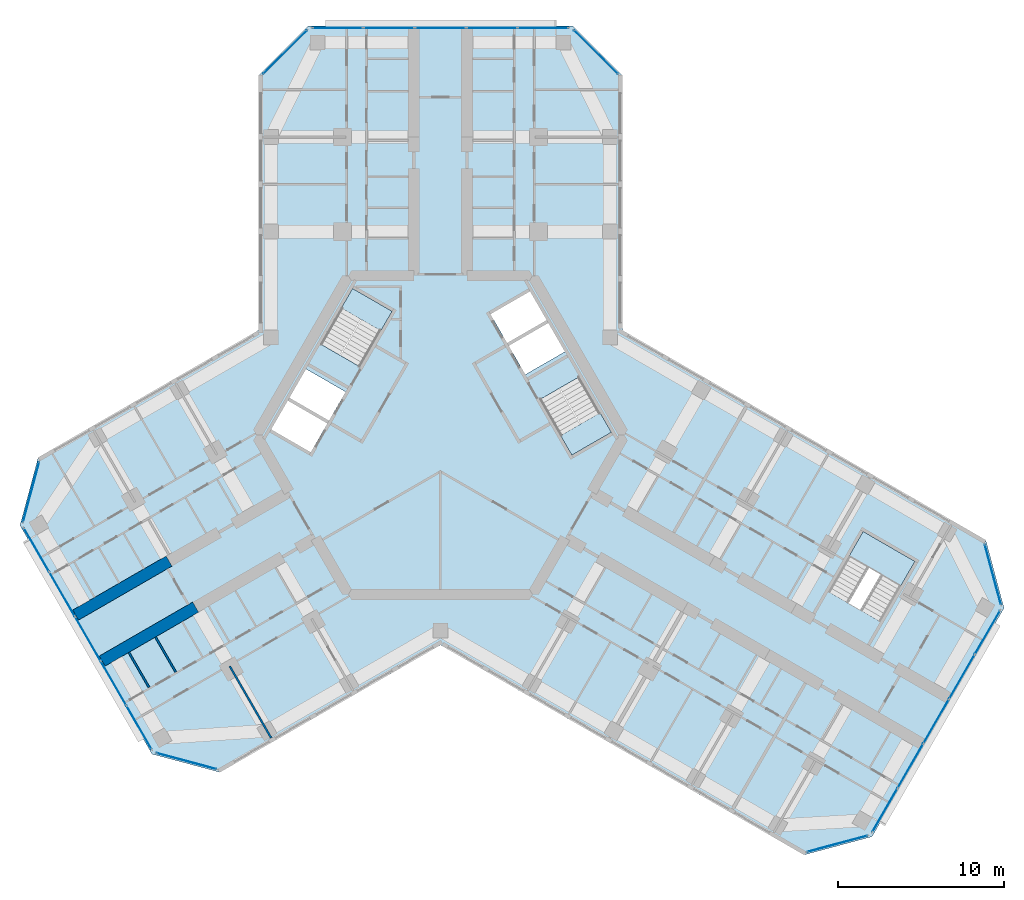
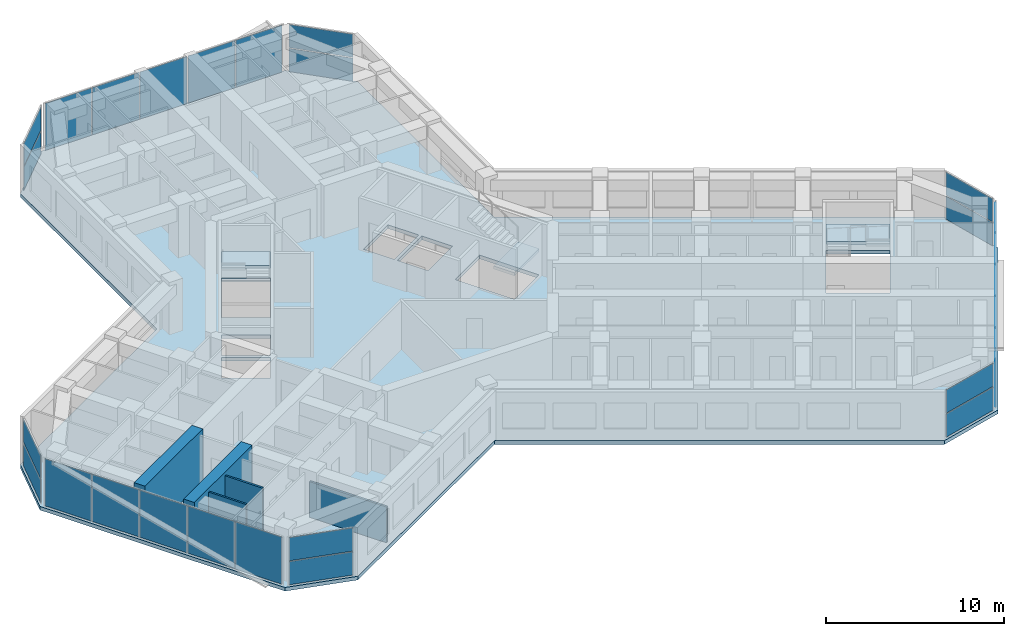
# One storey, part 7 of 16: 27 plates, 5 walls, 4 slabs, 12 elements without a shape of their own.
"""IFC4 building model written with IfcOpenShell, lengths in metres."""

import ifcopenshell
import ifcopenshell.guid

model = None  # the IFC model being written
_history = None  # IfcOwnerHistory: only IFC2X3 demands one
_inside = {}  # id of a spatial element -> (the spatial element, [elements in it])
_under = {}  # id of a project, library or spatial element -> (it, [spatial elements below it])
_declared = {}  # id of a project -> (the project, [libraries it declares])
_typed = {}  # id of a type object -> (the type object, [elements of that type])
_made_of = {}  # id of a material, layer set ... -> (it, [elements and type objects made of it])


def new_model(schema):
    """Start an empty IFC model of exactly this schema.

    Asked for "IFC4X3", IfcOpenShell would pick the latest addendum, in which some entities
    have other attributes; the version numbers below select the first issue.
    IFC2X3 requires an IfcOwnerHistory on every rooted entity: one is made here for all.
    """
    global model, _history
    if schema == "IFC4X3":
        model = ifcopenshell.file(schema_version=(4, 3, 0, 0))
    else:
        model = ifcopenshell.file(schema=schema)
    _inside.clear()
    _under.clear()
    _declared.clear()
    _typed.clear()
    _made_of.clear()
    _history = None
    if model.schema == "IFC2X3":
        org = make("IfcOrganization", Name="unknown")
        user = make(
            "IfcPersonAndOrganization",
            ThePerson=make("IfcPerson", FamilyName="unknown"),
            TheOrganization=org,
        )
        app = make(
            "IfcApplication",
            ApplicationDeveloper=org,
            Version="unknown",
            ApplicationFullName="unknown",
            ApplicationIdentifier="unknown",
        )
        _history = make(
            "IfcOwnerHistory",
            OwningUser=user,
            OwningApplication=app,
            ChangeAction="ADDED",
            CreationDate=0,
        )
    return model


def make(cls, **values):
    """One entity of the class cls with the attributes given. An attribute that is None is left unset."""
    return model.create_entity(
        cls, **{name: value for name, value in values.items() if value is not None}
    )


def rooted(cls, **values):
    """An entity with a GlobalId (a new one), such as an element, a storey or a relation."""
    return make(cls, GlobalId=ifcopenshell.guid.new(), OwnerHistory=_history, **values)


def si_unit(unit_type, name, prefix=None):
    """IfcSIUnit, for example si_unit("LENGTHUNIT", "METRE", prefix="MILLI")."""
    return make("IfcSIUnit", UnitType=unit_type, Prefix=prefix, Name=name)


def assignment(units):
    """IfcUnitAssignment: the units of a project."""
    return None if units is None else make("IfcUnitAssignment", Units=units)


def point(xyz):
    """IfcCartesianPoint."""
    return None if xyz is None else make("IfcCartesianPoint", Coordinates=xyz)


def direction(xyz):
    """IfcDirection."""
    return None if xyz is None else make("IfcDirection", DirectionRatios=xyz)


def frame(location, z_axis=None, x_axis=None):
    """IfcAxis2Placement3D, a coordinate frame: its origin and axes. An axis left out is left unset."""
    return make(
        "IfcAxis2Placement3D",
        Location=point(location),
        Axis=direction(z_axis),
        RefDirection=direction(x_axis),
    )


def frame_2d(location, x_axis=None):
    """IfcAxis2Placement2D, a coordinate frame in the plane: its origin and x axis."""
    return make(
        "IfcAxis2Placement2D", Location=point(location), RefDirection=direction(x_axis)
    )


def origin():
    """The frame at (0, 0, 0) with its axes left unset."""
    return frame((0.0, 0.0, 0.0))


def origin_2d():
    """The frame at (0, 0) in the plane with its x axis left unset."""
    return frame_2d((0.0, 0.0))


def place(relative_to, where):
    """IfcLocalPlacement: puts the frame where relative to a parent placement (None: the world)."""
    return make(
        "IfcLocalPlacement", PlacementRelTo=relative_to, RelativePlacement=where
    )


def context(
    kind, dimensions, precision=None, world=None, true_north=None, identifier=None
):
    """IfcGeometricRepresentationContext, for example the 3D "Model" context."""
    return make(
        "IfcGeometricRepresentationContext",
        ContextIdentifier=identifier,
        ContextType=kind,
        CoordinateSpaceDimension=dimensions,
        Precision=precision,
        WorldCoordinateSystem=world,
        TrueNorth=true_north,
    )


def subcontext(parent, identifier, kind, view, scale=None):
    """IfcGeometricRepresentationSubContext, for example "Body" below "Model"."""
    return make(
        "IfcGeometricRepresentationSubContext",
        ContextIdentifier=identifier,
        ContextType=kind,
        ParentContext=parent,
        TargetScale=scale,
        TargetView=view,
    )


def project(units=None, contexts=None):
    """IfcProject with its units and contexts."""
    return rooted(
        "IfcProject",
        Name="project",
        RepresentationContexts=contexts,
        UnitsInContext=assignment(units),
    )


def spatial(cls, under=None, at=None, **own):
    """A site, building, storey or space (cls), placed at a placement, below another one or the project."""
    s = rooted(cls, ObjectPlacement=at, **own)
    if under is not None:
        _under.setdefault(under.id(), (under, []))[1].append(s)
    return s


def polyline(points):
    """IfcPolyline through the points."""
    return make("IfcPolyline", Points=[point(p) for p in points])


def profile(cls, at=None, kind="AREA", **sizes):
    """A parametric profile (cls). Its sizes go by their IFC names, for example OverallWidth=200.0."""
    return make(cls, ProfileType=kind, Position=at, **sizes)


def rectangle(**sizes):
    """IfcRectangleProfileDef."""
    return profile("IfcRectangleProfileDef", **sizes)


def outline(outer, holes=None, kind="AREA"):
    """IfcArbitraryClosedProfileDef: a profile drawn as a closed curve; with holes, ...WithVoids."""
    if holes is None:
        return make("IfcArbitraryClosedProfileDef", ProfileType=kind, OuterCurve=outer)
    return make(
        "IfcArbitraryProfileDefWithVoids",
        ProfileType=kind,
        OuterCurve=outer,
        InnerCurves=holes,
    )


def extrude(swept, where, along, depth):
    """IfcExtrudedAreaSolid: the profile swept, set in the frame where, extruded along a direction by depth."""
    return make(
        "IfcExtrudedAreaSolid",
        SweptArea=swept,
        Position=where,
        ExtrudedDirection=direction(along),
        Depth=depth,
    )


def shape(context_of_items, identifier, shape_type, items):
    """IfcShapeRepresentation: the items that make up one representation, for example the "Body"."""
    return make(
        "IfcShapeRepresentation",
        ContextOfItems=context_of_items,
        RepresentationIdentifier=identifier,
        RepresentationType=shape_type,
        Items=items,
    )


def material(Name=None, Category=None):
    """IfcMaterial."""
    return make("IfcMaterial", Name=Name, Category=Category)


def layer(
    of_material, thickness, ventilated=None, Name=None, Category=None, Priority=None
):
    """IfcMaterialLayer: one layer of a wall or slab, of a material (None: an air gap)."""
    return make(
        "IfcMaterialLayer",
        Material=of_material,
        LayerThickness=thickness,
        IsVentilated=ventilated,
        Name=Name,
        Category=Category,
        Priority=Priority,
    )


def layer_set(layers, Name=None):
    """IfcMaterialLayerSet."""
    return make("IfcMaterialLayerSet", MaterialLayers=layers, LayerSetName=Name)


def made_of(thing, what):
    """Note that an element or type object is made of a material, layer set ...; save() writes the relation."""
    if what is not None:
        _made_of.setdefault(what.id(), (what, []))[1].append(thing)
    return thing


def type_object(cls, material=None, **own):
    """A type object (cls), such as IfcWallType, which elements share."""
    return made_of(rooted(cls, **own), material)


def element(
    cls,
    number,
    at=None,
    inside=None,
    cuts=None,
    type_object=None,
    material=None,
    context=None,
    identifier="Body",
    shape_type=None,
    held_by="IfcProductDefinitionShape",
    body=None,
    shapes=None,
    **own,
):
    """One element of the class cls, such as IfcWall. Its Tag is "e" and its number.

    at: its placement. inside: the storey or other place that contains it. cuts: it is an
    opening in that element (IfcRelVoidsElement). A single representation is given by context,
    identifier, shape_type and body (its items); several are given by shapes. held_by: the class
    of the entity that holds the representations. save() writes the other relations.
    """
    e = rooted(cls, Tag="e%d" % number, ObjectPlacement=at, **own)
    if body is not None:
        shapes = [shape(context, identifier, shape_type, body)]
    if shapes is not None:
        e.Representation = make(held_by, Representations=shapes)
    if inside is not None:
        _inside.setdefault(inside.id(), (inside, []))[1].append(e)
    if cuts is not None:
        rooted(
            "IfcRelVoidsElement", RelatingBuildingElement=cuts, RelatedOpeningElement=e
        )
    if type_object is not None:
        _typed.setdefault(type_object.id(), (type_object, []))[1].append(e)
    return made_of(e, material)


def aggregate(whole, parts):
    """IfcRelAggregates: a whole, such as a stair, and the parts it consists of."""
    return rooted("IfcRelAggregates", RelatingObject=whole, RelatedObjects=parts)


def save(model, path):
    """Write the relations noted so far, then the file.

    IfcRelAggregates (storeys below a building ...), IfcRelContainedInSpatialStructure (elements
    in a storey), IfcRelDefinesByType, IfcRelAssociatesMaterial and IfcRelDeclares: one each for
    every whole, place, type object, material and project.
    """
    for whole, parts in _under.values():
        aggregate(whole, parts)
    for where, things in _inside.values():
        rooted(
            "IfcRelContainedInSpatialStructure",
            RelatedElements=things,
            RelatingStructure=where,
        )
    for kind, things in _typed.values():
        rooted("IfcRelDefinesByType", RelatedObjects=things, RelatingType=kind)
    for what, things in _made_of.values():
        rooted("IfcRelAssociatesMaterial", RelatedObjects=things, RelatingMaterial=what)
    for by, libraries in _declared.values():
        rooted("IfcRelDeclares", RelatingContext=by, RelatedDefinitions=libraries)
    model.write(path)


model = new_model("IFC4")

# Units and contexts
model_context = context("Model", 3, precision=1e-05, world=origin(), true_north=direction((0.0, 1.0)))
body_context = subcontext(model_context, "Body", "Model", "MODEL_VIEW")
ifc_project = project(units=[si_unit("LENGTHUNIT", "METRE"), si_unit("AREAUNIT", "SQUARE_METRE"), si_unit("VOLUMEUNIT", "CUBIC_METRE"), si_unit("PLANEANGLEUNIT", "RADIAN"), si_unit("MASSUNIT", "GRAM", prefix="KILO")], contexts=[model_context])

# Site, building, storey
site_placement = place(None, origin())
site = spatial("IfcSite", under=ifc_project, at=site_placement, CompositionType="ELEMENT")
building_placement = place(site_placement, origin())
building = spatial("IfcBuilding", under=site, at=building_placement, Name="Kosmar Iwan School Tower", CompositionType="ELEMENT")
storey_placement = place(building_placement, frame((0.0, 0.0, 204.60009765625)))
storey = spatial("IfcBuildingStorey", under=building, at=storey_placement, Name="L51", CompositionType="ELEMENT", Elevation=204.60009765625)

# Curtain wall, plates
ifc_material_1 = material(Name="Dark glass in black aluminium frame", Category="aluminium")
curtain_wall_type_1 = type_object("IfcCurtainWallType", Name="Chamfer curtain wall dark glass", PredefinedType="USERDEFINED", material=ifc_material_1)
curtain_wall_1_placement = place(storey_placement, origin())
curtain_wall_1 = element("IfcCurtainWall", 1, at=curtain_wall_1_placement, inside=storey, type_object=curtain_wall_type_1, Name="Curtain wall L51-F00", ObjectType="FACETED CURTAIN WALL", PredefinedType="USERDEFINED")
ifc_material_2 = material(Name="Dark glass", Category="glass")
ifc_layer_1 = layer(ifc_material_2, 0.028076171875)
ifc_layer_set_1 = layer_set([ifc_layer_1], Name="Dark glass panel 28")
plate_type = type_object("IfcPlateType", Name="Dark glass panel 28", PredefinedType="CURTAIN_PANEL", material=ifc_layer_set_1)
plate_1_placement = place(storey_placement, frame((23.908203125, -24.61328125, 0.059814453125), z_axis=(0.0, 0.0, 1.0), x_axis=(0.965925875495, 0.258818861462, 0.0)))
plate_1 = element("IfcPlate", 2, at=plate_1_placement, type_object=plate_type, Name="CW2 panel 1.1", PredefinedType="CURTAIN_PANEL", context=body_context, shape_type="SweptSolid", body=[
    extrude(rectangle(XDim=3.718994140625, YDim=0.028076171875, at=origin_2d()), origin(), (0.0, 0.0, 1.0), 1.5849609375),
])
plate_2_placement = place(storey_placement, frame((23.908203125, -24.61328125, 1.704833984375), z_axis=(0.0, 0.0, 1.0), x_axis=(0.965925875495, 0.258818861462, 0.0)))
plate_2 = element("IfcPlate", 3, at=plate_2_placement, type_object=plate_type, Name="CW2 panel 1.2", PredefinedType="CURTAIN_PANEL", context=body_context, shape_type="SweptSolid", body=[
    extrude(rectangle(XDim=3.718994140625, YDim=0.028076171875, at=origin_2d()), origin(), (0.0, 0.0, 1.0), 1.5849609375),
])
aggregate(curtain_wall_1, [plate_1, plate_2])

ifc_material_3 = material(Name="Dark glass in black aluminium frame", Category="aluminium")
curtain_wall_type_2 = type_object("IfcCurtainWallType", Name="Tower curtain wall dark glass", PredefinedType="USERDEFINED", material=ifc_material_3)
curtain_wall_2_placement = place(storey_placement, origin())
curtain_wall_2 = element("IfcCurtainWall", 4, at=curtain_wall_2_placement, inside=storey, type_object=curtain_wall_type_2, Name="Curtain wall L51-F01", ObjectType="UNITISED CURTAIN WALL", PredefinedType="USERDEFINED")
plate_3_placement = place(storey_placement, frame((26.764404296875, -22.592529296875, 0.059814453125), z_axis=(0.0, 0.0, 1.0), x_axis=(0.499999997325, 0.866025405329, 0.0)))
plate_3 = element("IfcPlate", 5, at=plate_3_placement, type_object=plate_type, Name="CW1 panel 1.1", PredefinedType="CURTAIN_PANEL", context=body_context, shape_type="SweptSolid", body=[
    extrude(rectangle(XDim=3.00927734375, YDim=0.028076171875, at=origin_2d()), origin(), (0.0, 0.0, 1.0), 3.22998046875),
])
plate_4_placement = place(storey_placement, frame((28.306640625, -19.921630859375, 0.059814453125), z_axis=(0.0, 0.0, 1.0), x_axis=(0.499999997325, 0.866025405329, 0.0)))
plate_4 = element("IfcPlate", 6, at=plate_4_placement, type_object=plate_type, Name="CW1 panel 2.1", PredefinedType="CURTAIN_PANEL", context=body_context, shape_type="SweptSolid", body=[
    extrude(rectangle(XDim=3.039306640625, YDim=0.028076171875, at=origin_2d()), origin(), (0.0, 0.0, 1.0), 3.22998046875),
])
plate_5_placement = place(storey_placement, frame((29.856201171875, -17.237548828125, 0.059814453125), z_axis=(0.0, 0.0, 1.0), x_axis=(0.499999997325, 0.866025405329, 0.0)))
plate_5 = element("IfcPlate", 7, at=plate_5_placement, type_object=plate_type, Name="CW1 panel 3.1", PredefinedType="CURTAIN_PANEL", context=body_context, shape_type="SweptSolid", body=[
    extrude(rectangle(XDim=3.039306640625, YDim=0.028076171875, at=origin_2d()), origin(), (0.0, 0.0, 1.0), 3.22998046875),
])
plate_6_placement = place(storey_placement, frame((31.40576171875, -14.553466796875, 0.059814453125), z_axis=(0.0, 0.0, 1.0), x_axis=(0.499999997325, 0.866025405329, 0.0)))
plate_6 = element("IfcPlate", 8, at=plate_6_placement, type_object=plate_type, Name="CW1 panel 4.1", PredefinedType="CURTAIN_PANEL", context=body_context, shape_type="SweptSolid", body=[
    extrude(rectangle(XDim=3.039306640625, YDim=0.028076171875, at=origin_2d()), origin(), (0.0, 0.0, 1.0), 3.22998046875),
])
plate_7_placement = place(storey_placement, frame((32.947998046875, -11.88232421875, 0.059814453125), z_axis=(0.0, 0.0, 1.0), x_axis=(0.499999997325, 0.866025405329, 0.0)))
plate_7 = element("IfcPlate", 9, at=plate_7_placement, type_object=plate_type, Name="CW1 panel 5.1", PredefinedType="CURTAIN_PANEL", context=body_context, shape_type="SweptSolid", body=[
    extrude(rectangle(XDim=3.00927734375, YDim=0.028076171875, at=origin_2d()), origin(), (0.0, 0.0, 1.0), 3.22998046875),
])
aggregate(curtain_wall_2, [plate_3, plate_4, plate_5, plate_6, plate_7])

curtain_wall_3_placement = place(storey_placement, origin())
curtain_wall_3 = element("IfcCurtainWall", 10, at=curtain_wall_3_placement, inside=storey, type_object=curtain_wall_type_1, Name="Curtain wall L51-F02", ObjectType="FACETED CURTAIN WALL", PredefinedType="USERDEFINED")
plate_8_placement = place(storey_placement, frame((33.269775390625, -8.3984375, 0.059814453125), z_axis=(0.0, 0.0, 1.0), x_axis=(-0.258818861462, 0.965925875495, 0.0)))
plate_8 = element("IfcPlate", 11, at=plate_8_placement, type_object=plate_type, Name="CW2 panel 1.1", PredefinedType="CURTAIN_PANEL", context=body_context, shape_type="SweptSolid", body=[
    extrude(rectangle(XDim=3.718994140625, YDim=0.028076171875, at=origin_2d()), origin(), (0.0, 0.0, 1.0), 1.5849609375),
])
plate_9_placement = place(storey_placement, frame((33.269775390625, -8.3984375, 1.704833984375), z_axis=(0.0, 0.0, 1.0), x_axis=(-0.258818861462, 0.965925875495, 0.0)))
plate_9 = element("IfcPlate", 12, at=plate_9_placement, type_object=plate_type, Name="CW2 panel 1.2", PredefinedType="CURTAIN_PANEL", context=body_context, shape_type="SweptSolid", body=[
    extrude(rectangle(XDim=3.718994140625, YDim=0.028076171875, at=origin_2d()), origin(), (0.0, 0.0, 1.0), 1.5849609375),
])
aggregate(curtain_wall_3, [plate_8, plate_9])

curtain_wall_4_placement = place(storey_placement, origin())
curtain_wall_4 = element("IfcCurtainWall", 13, at=curtain_wall_4_placement, inside=storey, type_object=curtain_wall_type_1, Name="Curtain wall L51-F05", ObjectType="FACETED CURTAIN WALL", PredefinedType="USERDEFINED")
plate_10_placement = place(storey_placement, frame((9.361572265625, 23.0615234375, 0.059814453125), z_axis=(0.0, 0.0, 1.0), x_axis=(-0.707106781187, 0.707106781187, 0.0)))
plate_10 = element("IfcPlate", 14, at=plate_10_placement, type_object=plate_type, Name="CW2 panel 1.1", PredefinedType="CURTAIN_PANEL", context=body_context, shape_type="SweptSolid", body=[
    extrude(rectangle(XDim=3.718994140625, YDim=0.028076171875, at=origin_2d()), origin(), (0.0, 0.0, 1.0), 1.5849609375),
])
plate_11_placement = place(storey_placement, frame((9.361572265625, 23.0615234375, 1.704833984375), z_axis=(0.0, 0.0, 1.0), x_axis=(-0.707106781187, 0.707106781187, 0.0)))
plate_11 = element("IfcPlate", 15, at=plate_11_placement, type_object=plate_type, Name="CW2 panel 1.2", PredefinedType="CURTAIN_PANEL", context=body_context, shape_type="SweptSolid", body=[
    extrude(rectangle(XDim=3.718994140625, YDim=0.028076171875, at=origin_2d()), origin(), (0.0, 0.0, 1.0), 1.5849609375),
])
aggregate(curtain_wall_4, [plate_10, plate_11])

curtain_wall_5_placement = place(storey_placement, origin())
curtain_wall_5 = element("IfcCurtainWall", 16, at=curtain_wall_5_placement, inside=storey, type_object=curtain_wall_type_2, Name="Curtain wall L51-F06", ObjectType="UNITISED CURTAIN WALL", PredefinedType="USERDEFINED")
plate_12_placement = place(storey_placement, frame((6.18359375, 24.52490234375, 0.059814453125), z_axis=(0.0, 0.0, 1.0), x_axis=(-1.0, 0.0, 0.0)))
plate_12 = element("IfcPlate", 17, at=plate_12_placement, type_object=plate_type, Name="CW1 panel 1.1", PredefinedType="CURTAIN_PANEL", context=body_context, shape_type="SweptSolid", body=[
    extrude(rectangle(XDim=3.00927734375, YDim=0.028076171875, at=origin_2d()), origin(), (0.0, 0.0, 1.0), 3.22998046875),
])
plate_13_placement = place(storey_placement, frame((3.099365234375, 24.52490234375, 0.059814453125), z_axis=(0.0, 0.0, 1.0), x_axis=(-1.0, 0.0, 0.0)))
plate_13 = element("IfcPlate", 18, at=plate_13_placement, type_object=plate_type, Name="CW1 panel 2.1", PredefinedType="CURTAIN_PANEL", context=body_context, shape_type="SweptSolid", body=[
    extrude(rectangle(XDim=3.039306640625, YDim=0.028076171875, at=origin_2d()), origin(), (0.0, 0.0, 1.0), 3.22998046875),
])
plate_14_placement = place(storey_placement, frame((0.0, 24.52490234375, 0.059814453125), z_axis=(0.0, 0.0, 1.0), x_axis=(-1.0, 0.0, 0.0)))
plate_14 = element("IfcPlate", 19, at=plate_14_placement, type_object=plate_type, Name="CW1 panel 3.1", PredefinedType="CURTAIN_PANEL", context=body_context, shape_type="SweptSolid", body=[
    extrude(rectangle(XDim=3.039306640625, YDim=0.028076171875, at=origin_2d()), origin(), (0.0, 0.0, 1.0), 3.22998046875),
])
plate_15_placement = place(storey_placement, frame((-3.099365234375, 24.52490234375, 0.059814453125), z_axis=(0.0, 0.0, 1.0), x_axis=(-1.0, 0.0, 0.0)))
plate_15 = element("IfcPlate", 20, at=plate_15_placement, type_object=plate_type, Name="CW1 panel 4.1", PredefinedType="CURTAIN_PANEL", context=body_context, shape_type="SweptSolid", body=[
    extrude(rectangle(XDim=3.039306640625, YDim=0.028076171875, at=origin_2d()), origin(), (0.0, 0.0, 1.0), 3.22998046875),
])
plate_16_placement = place(storey_placement, frame((-6.18359375, 24.52490234375, 0.059814453125), z_axis=(0.0, 0.0, 1.0), x_axis=(-1.0, 0.0, 0.0)))
plate_16 = element("IfcPlate", 21, at=plate_16_placement, type_object=plate_type, Name="CW1 panel 5.1", PredefinedType="CURTAIN_PANEL", context=body_context, shape_type="SweptSolid", body=[
    extrude(rectangle(XDim=3.00927734375, YDim=0.028076171875, at=origin_2d()), origin(), (0.0, 0.0, 1.0), 3.22998046875),
])
aggregate(curtain_wall_5, [plate_12, plate_13, plate_14, plate_15, plate_16])

curtain_wall_6_placement = place(storey_placement, origin())
curtain_wall_6 = element("IfcCurtainWall", 22, at=curtain_wall_6_placement, inside=storey, type_object=curtain_wall_type_1, Name="Curtain wall L51-F07", ObjectType="FACETED CURTAIN WALL", PredefinedType="USERDEFINED")
plate_17_placement = place(storey_placement, frame((-9.361572265625, 23.0615234375, 0.059814453125), z_axis=(0.0, 0.0, 1.0), x_axis=(-0.707106781187, -0.707106781187, 0.0)))
plate_17 = element("IfcPlate", 23, at=plate_17_placement, type_object=plate_type, Name="CW2 panel 1.1", PredefinedType="CURTAIN_PANEL", context=body_context, shape_type="SweptSolid", body=[
    extrude(rectangle(XDim=3.718994140625, YDim=0.028076171875, at=origin_2d()), origin(), (0.0, 0.0, 1.0), 1.5849609375),
])
plate_18_placement = place(storey_placement, frame((-9.361572265625, 23.0615234375, 1.704833984375), z_axis=(0.0, 0.0, 1.0), x_axis=(-0.707106781187, -0.707106781187, 0.0)))
plate_18 = element("IfcPlate", 24, at=plate_18_placement, type_object=plate_type, Name="CW2 panel 1.2", PredefinedType="CURTAIN_PANEL", context=body_context, shape_type="SweptSolid", body=[
    extrude(rectangle(XDim=3.718994140625, YDim=0.028076171875, at=origin_2d()), origin(), (0.0, 0.0, 1.0), 1.5849609375),
])
aggregate(curtain_wall_6, [plate_17, plate_18])

curtain_wall_7_placement = place(storey_placement, origin())
curtain_wall_7 = element("IfcCurtainWall", 25, at=curtain_wall_7_placement, inside=storey, type_object=curtain_wall_type_1, Name="Curtain wall L51-F10", ObjectType="FACETED CURTAIN WALL", PredefinedType="USERDEFINED")
plate_19_placement = place(storey_placement, frame((-24.65283203125, -3.42333984375, 0.059814453125), z_axis=(0.0, 0.0, 1.0), x_axis=(-0.258818861462, -0.965925875495, 0.0)))
plate_19 = element("IfcPlate", 26, at=plate_19_placement, type_object=plate_type, Name="CW2 panel 1.1", PredefinedType="CURTAIN_PANEL", context=body_context, shape_type="SweptSolid", body=[
    extrude(rectangle(XDim=3.718994140625, YDim=0.028076171875, at=origin_2d()), origin(), (0.0, 0.0, 1.0), 1.5849609375),
])
plate_20_placement = place(storey_placement, frame((-24.65283203125, -3.42333984375, 1.704833984375), z_axis=(0.0, 0.0, 1.0), x_axis=(-0.258818861462, -0.965925875495, 0.0)))
plate_20 = element("IfcPlate", 27, at=plate_20_placement, type_object=plate_type, Name="CW2 panel 1.2", PredefinedType="CURTAIN_PANEL", context=body_context, shape_type="SweptSolid", body=[
    extrude(rectangle(XDim=3.718994140625, YDim=0.028076171875, at=origin_2d()), origin(), (0.0, 0.0, 1.0), 1.5849609375),
])
aggregate(curtain_wall_7, [plate_19, plate_20])

curtain_wall_8_placement = place(storey_placement, origin())
curtain_wall_8 = element("IfcCurtainWall", 28, at=curtain_wall_8_placement, inside=storey, type_object=curtain_wall_type_2, Name="Curtain wall L51-F11", ObjectType="UNITISED CURTAIN WALL", PredefinedType="USERDEFINED")
plate_21_placement = place(storey_placement, frame((-24.3310546875, -6.907470703125, 0.059814453125), z_axis=(0.0, 0.0, 1.0), x_axis=(0.499999997325, -0.866025405329, 0.0)))
plate_21 = element("IfcPlate", 29, at=plate_21_placement, type_object=plate_type, Name="CW1 panel 1.1", PredefinedType="CURTAIN_PANEL", context=body_context, shape_type="SweptSolid", body=[
    extrude(rectangle(XDim=3.00927734375, YDim=0.028076171875, at=origin_2d()), origin(), (0.0, 0.0, 1.0), 3.22998046875),
])
plate_22_placement = place(storey_placement, frame((-22.788818359375, -9.578369140625, 0.059814453125), z_axis=(0.0, 0.0, 1.0), x_axis=(0.499999997325, -0.866025405329, 0.0)))
plate_22 = element("IfcPlate", 30, at=plate_22_placement, type_object=plate_type, Name="CW1 panel 2.1", PredefinedType="CURTAIN_PANEL", context=body_context, shape_type="SweptSolid", body=[
    extrude(rectangle(XDim=3.039306640625, YDim=0.028076171875, at=origin_2d()), origin(), (0.0, 0.0, 1.0), 3.22998046875),
])
plate_23_placement = place(storey_placement, frame((-21.2392578125, -12.262451171875, 0.059814453125), z_axis=(0.0, 0.0, 1.0), x_axis=(0.499999997325, -0.866025405329, 0.0)))
plate_23 = element("IfcPlate", 31, at=plate_23_placement, type_object=plate_type, Name="CW1 panel 3.1", PredefinedType="CURTAIN_PANEL", context=body_context, shape_type="SweptSolid", body=[
    extrude(rectangle(XDim=3.039306640625, YDim=0.028076171875, at=origin_2d()), origin(), (0.0, 0.0, 1.0), 3.22998046875),
])
plate_24_placement = place(storey_placement, frame((-19.689697265625, -14.946533203125, 0.059814453125), z_axis=(0.0, 0.0, 1.0), x_axis=(0.499999997325, -0.866025405329, 0.0)))
plate_24 = element("IfcPlate", 32, at=plate_24_placement, type_object=plate_type, Name="CW1 panel 4.1", PredefinedType="CURTAIN_PANEL", context=body_context, shape_type="SweptSolid", body=[
    extrude(rectangle(XDim=3.039306640625, YDim=0.028076171875, at=origin_2d()), origin(), (0.0, 0.0, 1.0), 3.22998046875),
])
plate_25_placement = place(storey_placement, frame((-18.1474609375, -17.61767578125, 0.059814453125), z_axis=(0.0, 0.0, 1.0), x_axis=(0.499999997325, -0.866025405329, 0.0)))
plate_25 = element("IfcPlate", 33, at=plate_25_placement, type_object=plate_type, Name="CW1 panel 5.1", PredefinedType="CURTAIN_PANEL", context=body_context, shape_type="SweptSolid", body=[
    extrude(rectangle(XDim=3.00927734375, YDim=0.028076171875, at=origin_2d()), origin(), (0.0, 0.0, 1.0), 3.22998046875),
])
aggregate(curtain_wall_8, [plate_21, plate_22, plate_23, plate_24, plate_25])

curtain_wall_9_placement = place(storey_placement, origin())
curtain_wall_9 = element("IfcCurtainWall", 34, at=curtain_wall_9_placement, inside=storey, type_object=curtain_wall_type_1, Name="Curtain wall L51-F12", ObjectType="FACETED CURTAIN WALL", PredefinedType="USERDEFINED")
plate_26_placement = place(storey_placement, frame((-15.291015625, -19.63818359375, 0.059814453125), z_axis=(0.0, 0.0, 1.0), x_axis=(0.965925875495, -0.258818861462, 0.0)))
plate_26 = element("IfcPlate", 35, at=plate_26_placement, type_object=plate_type, Name="CW2 panel 1.1", PredefinedType="CURTAIN_PANEL", context=body_context, shape_type="SweptSolid", body=[
    extrude(rectangle(XDim=3.718994140625, YDim=0.028076171875, at=origin_2d()), origin(), (0.0, 0.0, 1.0), 1.5849609375),
])
plate_27_placement = place(storey_placement, frame((-15.291015625, -19.63818359375, 1.704833984375), z_axis=(0.0, 0.0, 1.0), x_axis=(0.965925875495, -0.258818861462, 0.0)))
plate_27 = element("IfcPlate", 36, at=plate_27_placement, type_object=plate_type, Name="CW2 panel 1.2", PredefinedType="CURTAIN_PANEL", context=body_context, shape_type="SweptSolid", body=[
    extrude(rectangle(XDim=3.718994140625, YDim=0.028076171875, at=origin_2d()), origin(), (0.0, 0.0, 1.0), 1.5849609375),
])
aggregate(curtain_wall_9, [plate_26, plate_27])

# Stair, slab
ifc_material_4 = material(Name="Concrete C35/45", Category="concrete")
stair_type_1 = type_object("IfcStairType", Name="Escape stair 3600", PredefinedType="HALF_TURN_STAIR", material=ifc_material_4)
stair_1_placement = place(storey_placement, origin())
stair_1 = element("IfcStair", 37, at=stair_1_placement, inside=storey, type_object=stair_type_1, Name="Stair WS3 L51", PredefinedType="HALF_TURN_STAIR")
ifc_material_5 = material(Name="Concrete C35/45", Category="concrete")
ifc_layer_2 = layer(ifc_material_5, 0.199951171875)
ifc_layer_set_2 = layer_set([ifc_layer_2], Name="Escape stair landing 200")
slab_type_1 = type_object("IfcSlabType", Name="Escape stair landing 200", PredefinedType="LANDING", material=ifc_layer_set_2)
slab_1_placement = place(storey_placement, frame((0.0, 0.0, 1.599853515625)))
slab_1 = element("IfcSlab", 38, at=slab_1_placement, type_object=slab_type_1, Name="WS3 landing 1", PredefinedType="LANDING", context=body_context, shape_type="SweptSolid", body=[
    extrude(outline(polyline([(24.607421875, -7.27880859375), (27.72509765625, -9.078857421875), (28.574951171875, -7.606689453125), (25.457275390625, -5.806640625), (24.607421875, -7.27880859375)])), origin(), (0.0, 0.0, 1.0), 0.199951171875),
])
aggregate(stair_1, [slab_1])

# Slab
ifc_material_6 = material(Name="Concrete C35/45", Category="concrete")
ifc_layer_3 = layer(ifc_material_6, 0.25)
ifc_layer_set_3 = layer_set([ifc_layer_3], Name="Floor slab 250")
slab_type_2 = type_object("IfcSlabType", Name="Floor slab 250", PredefinedType="FLOOR", material=ifc_layer_set_3)
slab_2_placement = place(storey_placement, frame((0.0, 0.0, -0.25)))
element("IfcSlab", 39, at=slab_2_placement, inside=storey, type_object=slab_type_2, Name="L51 floor slab", PredefinedType="FLOOR", context=body_context, shape_type="SweptSolid", body=[
    extrude(outline(polyline([(21.891357421875, -25.282958984375), (25.989501953125, -24.184814453125), (33.939453125, -10.4150390625), (32.84130859375, -6.317138671875), (10.949951171875, 6.322021484375), (10.949951171875, 21.64990234375), (7.949951171875, 24.64990234375), (-7.949951171875, 24.64990234375), (-10.949951171875, 21.64990234375), (-10.949951171875, 6.322021484375), (-24.224365234375, -1.342041015625), (-25.322509765625, -5.440185546875), (-17.37255859375, -19.2099609375), (-13.2744140625, -20.307861328125), (0.0, -12.64404296875), (21.891357421875, -25.282958984375)]), holes=[polyline([(7.91259765625, -1.205078125), (10.294189453125, 0.169921875), (8.3642578125, 3.5126953125), (5.982666015625, 2.1376953125), (7.91259765625, -1.205078125)]), polyline([(-2.91259765625, 7.455078125), (-5.294189453125, 8.830078125), (-7.22412109375, 5.4873046875), (-4.8427734375, 4.1123046875), (-2.91259765625, 7.455078125)]), polyline([(-5.712646484375, 2.60546875), (-8.09423828125, 3.98046875), (-9.09423828125, 2.248291015625), (-6.712646484375, 0.873291015625), (-5.712646484375, 2.60546875)]), polyline([(-6.812744140625, 0.7001953125), (-9.1943359375, 2.0751953125), (-10.1943359375, 0.343017578125), (-7.812744140625, -1.031982421875), (-6.812744140625, 0.7001953125)]), polyline([(5.112548828125, 3.64453125), (7.494140625, 5.01953125), (6.494140625, 6.751708984375), (4.112548828125, 5.376708984375), (5.112548828125, 3.64453125)]), polyline([(4.0126953125, 5.5498046875), (6.394287109375, 6.9248046875), (5.394287109375, 8.656982421875), (3.0126953125, 7.281982421875), (4.0126953125, 5.5498046875)]), polyline([(23.367431640625, -9.426513671875), (26.485107421875, -11.2265625), (28.574951171875, -7.606689453125), (25.457275390625, -5.806640625), (23.367431640625, -9.426513671875)])]), origin(), (0.0, 0.0, 1.0), 0.25),
])

# Stair, slab
ifc_material_7 = material(Name="Concrete C35/45", Category="concrete")
stair_type_2 = type_object("IfcStairType", Name="Core stair 2750", PredefinedType="HALF_TURN_STAIR", material=ifc_material_7)
stair_2_placement = place(storey_placement, origin())
stair_2 = element("IfcStair", 40, at=stair_2_placement, inside=storey, type_object=stair_type_2, Name="Stair ST2 L51", PredefinedType="HALF_TURN_STAIR")
ifc_material_8 = material(Name="Concrete C35/45", Category="concrete")
ifc_layer_4 = layer(ifc_material_8, 0.199951171875)
ifc_layer_set_4 = layer_set([ifc_layer_4], Name="Stair landing 200")
slab_type_3 = type_object("IfcSlabType", Name="Stair landing 200", PredefinedType="LANDING", material=ifc_layer_set_4)
slab_3_placement = place(storey_placement, frame((0.0, 0.0, 1.599853515625)))
slab_3 = element("IfcSlab", 41, at=slab_3_placement, type_object=slab_type_3, Name="ST2 landing 1", PredefinedType="LANDING", context=body_context, shape_type="SweptSolid", body=[
    extrude(outline(polyline([(-2.91259765625, 7.455078125), (-5.294189453125, 8.830078125), (-5.97412109375, 7.65234375), (-3.5927734375, 6.27734375), (-2.91259765625, 7.455078125)])), origin(), (0.0, 0.0, 1.0), 0.199951171875),
])
aggregate(stair_2, [slab_3])

stair_3_placement = place(storey_placement, origin())
stair_3 = element("IfcStair", 42, at=stair_3_placement, inside=storey, type_object=stair_type_2, Name="Stair ST1 L51", PredefinedType="HALF_TURN_STAIR")
slab_4_placement = place(storey_placement, frame((0.0, 0.0, 1.599853515625)))
slab_4 = element("IfcSlab", 43, at=slab_4_placement, type_object=slab_type_3, Name="ST1 landing 1", PredefinedType="LANDING", context=body_context, shape_type="SweptSolid", body=[
    extrude(outline(polyline([(7.91259765625, -1.205078125), (10.294189453125, 0.169921875), (9.6142578125, 1.34765625), (7.232666015625, -0.02734375), (7.91259765625, -1.205078125)])), origin(), (0.0, 0.0, 1.0), 0.199951171875),
])
aggregate(stair_3, [slab_4])

# Walls
ifc_material_9 = material(Name="Concrete C50/60", Category="concrete")
ifc_layer_5 = layer(ifc_material_9, 0.699951171875)
ifc_layer_set_5 = layer_set([ifc_layer_5], Name="Corridor buttress wall 700")
wall_type_1 = type_object("IfcWallType", Name="Corridor buttress wall 700", PredefinedType="SHEAR", material=ifc_layer_set_5)
wall_1_placement = place(storey_placement, frame((-14.7451171875, -10.360595703125, 0.0), z_axis=(0.0, 0.0, 1.0), x_axis=(-0.866027848477, -0.499995765644, 0.0)))
element("IfcWall", 44, at=wall_1_placement, inside=storey, type_object=wall_type_1, Name="Corridor wall BL bay 2", PredefinedType="SHEAR", context=body_context, shape_type="SweptSolid", body=[
    extrude(rectangle(XDim=6.4951171875, YDim=0.699951171875, at=frame_2d((3.24755859375, 0.0))), origin(), (0.0, 0.0, 1.0), 3.599853515625),
])
wall_2_placement = place(storey_placement, frame((-16.34521484375, -7.58935546875, 0.0), z_axis=(0.0, 0.0, 1.0), x_axis=(-0.866018451174, -0.500012042081, 0.0)))
element("IfcWall", 45, at=wall_2_placement, inside=storey, type_object=wall_type_1, Name="Corridor wall BR bay 2", PredefinedType="SHEAR", context=body_context, shape_type="SweptSolid", body=[
    extrude(rectangle(XDim=6.494873046875, YDim=0.699951171875, at=frame_2d((3.24755859375, 0.0))), origin(), (0.0, 0.0, 1.0), 3.599853515625),
])
ifc_material_10 = material(Name="Gypsum board on steel studs", Category="steel")
ifc_layer_6 = layer(ifc_material_10, 0.1201171875)
ifc_layer_set_6 = layer_set([ifc_layer_6], Name="Dwelling partition 120")
wall_type_2 = type_object("IfcWallType", Name="Dwelling partition 120", PredefinedType="PARTITIONING", material=ifc_layer_set_6)
wall_3_placement = place(storey_placement, frame((-12.690185546875, -13.919921875, 0.0), z_axis=(0.0, 0.0, 1.0), x_axis=(0.500011847778, -0.866018563358, 0.0)))
element("IfcWall", 46, at=wall_3_placement, inside=storey, type_object=wall_type_2, Name="Partition L51-BL1-X2", PredefinedType="PARTITIONING", context=body_context, shape_type="SweptSolid", body=[
    extrude(rectangle(XDim=4.990234375, YDim=0.1201171875, at=frame_2d((2.4951171875, 0.0))), origin(), (0.0, 0.0, 1.0), 2.449951171875),
])
for number, where, z_axis, x_axis, name in (
    (47, (-17.16162109375, -12.159912109375, 0.0), (0.0, 0.0, 1.0), (0.500002508028, -0.866023955769, 0.0), "Partition L51-BL1-Y5"),
    (48, (-18.76708984375, -13.0869140625, 0.0), (0.0, 0.0, 1.0), (0.500002508028, -0.866023955769, 0.0), "Partition L51-BL1-Y6"),
):
    element("IfcWall", number, at=place(storey_placement, frame(where, z_axis=z_axis, x_axis=x_axis)), inside=storey, type_object=wall_type_2, Name=name, PredefinedType="PARTITIONING", context=body_context, shape_type="SweptSolid", body=[
        extrude(rectangle(XDim=2.43994140625, YDim=0.1201171875, at=frame_2d((1.219970703125, 0.0))), origin(), (0.0, 0.0, 1.0), 3.349853515625),
    ])

save(model, "model.ifc")
